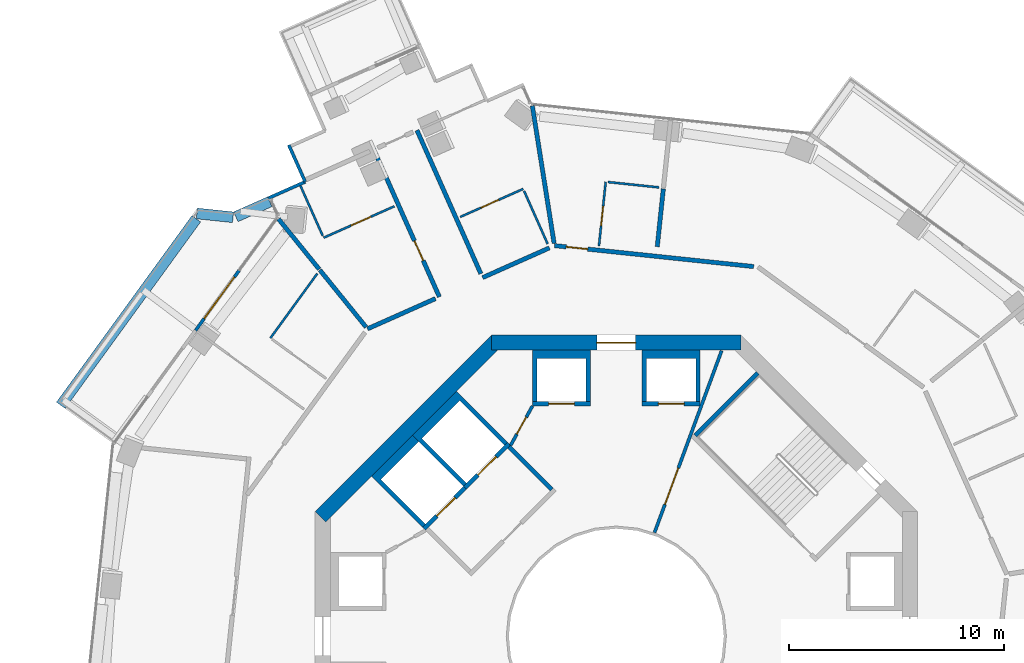
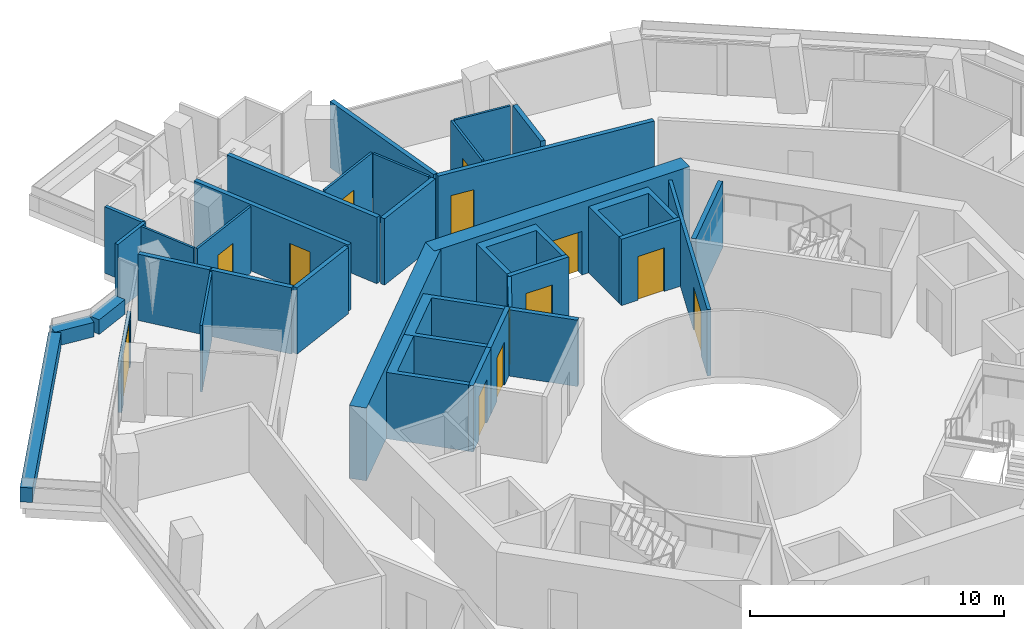
# One storey, part 19 of 23: 36 walls, 13 doors, 13 openings.
"""IFC4 building model written with IfcOpenShell, lengths in metres."""

from ifc_helpers import new_model, si_unit, direction, frame, frame_2d, origin, place, context, subcontext, project, spatial, polyline, rectangle, outline, extrude, material, layer, layer_set, type_object, element, fill, save


model = new_model("IFC4")

# Units and contexts
model_context = context("Model", 3, precision=1e-05, world=origin(), true_north=direction((0.0, 1.0)))
body_context = subcontext(model_context, "Body", "Model", "MODEL_VIEW")
ifc_project = project(units=[si_unit("LENGTHUNIT", "METRE"), si_unit("AREAUNIT", "SQUARE_METRE"), si_unit("VOLUMEUNIT", "CUBIC_METRE"), si_unit("PLANEANGLEUNIT", "RADIAN"), si_unit("MASSUNIT", "GRAM", prefix="KILO")], contexts=[model_context])

# Site, building, storey
site_placement = place(None, origin())
site = spatial("IfcSite", under=ifc_project, at=site_placement, CompositionType="ELEMENT")
building_placement = place(site_placement, origin())
building = spatial("IfcBuilding", under=site, at=building_placement, Name="Verdalira Terraces Hotel", CompositionType="ELEMENT")
storey_placement = place(building_placement, frame((0.0, 0.0, 133.0)))
storey = spatial("IfcBuildingStorey", under=building, at=storey_placement, Name="L31", CompositionType="ELEMENT", Elevation=133.0)

# Walls
ifc_material_1 = material(Name="Concrete C40", Category="concrete")
ifc_layer_1 = layer(ifc_material_1, 0.5)
ifc_layer_set_1 = layer_set([ifc_layer_1], Name="Balcony planter trough with tree")
wall_type_1 = type_object("IfcWallType", Name="Balcony planter trough with tree", PredefinedType="SOLIDWALL", material=ifc_layer_set_1)
wall_1_placement = place(storey_placement, frame((-16.11084, 20.202148, 0.0), z_axis=(0.0, 0.0, 1.0), x_axis=(-0.913532156, -0.406766518, 0.0)))
element("IfcWall", 1, at=wall_1_placement, inside=storey, type_object=wall_type_1, Name="Balcony planter", PredefinedType="SOLIDWALL", context=body_context, shape_type="SweptSolid", body=[
    extrude(rectangle(XDim=1.730957, YDim=0.5, at=frame_2d((0.865479, 0.0))), origin(), (0.0, 0.0, 1.0), 0.699951),
])
wall_2_placement = place(storey_placement, frame((-17.820068, 19.477783, 0.0), z_axis=(0.0, 0.0, 1.0), x_axis=(-0.99453147, 0.104437328, 0.0)))
element("IfcWall", 2, at=wall_2_placement, inside=storey, type_object=wall_type_1, Name="Balcony planter", PredefinedType="SOLIDWALL", context=body_context, shape_type="SweptSolid", body=[
    extrude(rectangle(XDim=1.694824, YDim=0.5, at=frame_2d((0.847412, 0.0))), origin(), (0.0, 0.0, 1.0), 0.699951),
])
wall_3_placement = place(storey_placement, frame((-19.531982, 19.40625, 0.0), z_axis=(0.0, 0.0, 1.0), x_axis=(-0.587777543, -0.809022595, 0.0)))
element("IfcWall", 3, at=wall_3_placement, inside=storey, type_object=wall_type_1, Name="Balcony planter", PredefinedType="SOLIDWALL", context=body_context, shape_type="SweptSolid", body=[
    extrude(rectangle(XDim=10.719238, YDim=0.5, at=frame_2d((5.359619, 0.0))), origin(), (0.0, 0.0, 1.0), 0.699951),
])
ifc_material_2 = material(Name="Moisture-resistant gypsum board partition")
ifc_layer_2 = layer(ifc_material_2, 0.10009765625)
ifc_layer_set_2 = layer_set([ifc_layer_2], Name="Bathroom partition 100 mm")
wall_type_2 = type_object("IfcWallType", Name="Bathroom partition 100 mm", PredefinedType="PARTITIONING", material=ifc_layer_set_2)
wall_4_placement = place(storey_placement, frame((-13.906738, 16.855713, 0.0), z_axis=(0.0, 0.0, 1.0), x_axis=(-0.587803242, -0.809003924, 0.0)))
element("IfcWall", 4, at=wall_4_placement, inside=storey, type_object=wall_type_2, Name="Bathroom partition", PredefinedType="PARTITIONING", context=body_context, shape_type="SweptSolid", body=[
    extrude(rectangle(XDim=3.704102, YDim=0.100098, at=frame_2d((1.852051, 0.0))), origin(), (0.0, 0.0, 1.0), 3.189941),
])
wall_5_placement = place(storey_placement, frame((-13.651611, 18.61499, 0.0), z_axis=(0.0, 0.0, 1.0), x_axis=(-0.40678681, 0.91352312, 0.0)))
element("IfcWall", 5, at=wall_5_placement, inside=storey, type_object=wall_type_2, Name="Bathroom partition", PredefinedType="PARTITIONING", context=body_context, shape_type="SweptSolid", body=[
    extrude(rectangle(XDim=2.550049, YDim=0.100098, at=frame_2d((1.274902, 0.0))), origin(), (0.0, 0.0, 1.0), 3.189941),
])

# Wall, opening, door
wall_6_placement = place(storey_placement, frame((-13.611084, 18.523682, 0.0), z_axis=(0.0, 0.0, 1.0), x_axis=(0.913562482, 0.406698404, 0.0)))
wall_6 = element("IfcWall", 6, at=wall_6_placement, inside=storey, type_object=wall_type_2, Name="Bathroom partition", PredefinedType="PARTITIONING", context=body_context, shape_type="SweptSolid", body=[
    extrude(rectangle(XDim=3.600098, YDim=0.100098, at=frame_2d((1.800049, 0.0))), origin(), (0.0, 0.0, 1.0), 3.189941),
])
opening_1_placement = place(wall_6_placement, frame((1.399902, 0.0, 0.0)))
opening_1 = element("IfcOpeningElement", 7, at=opening_1_placement, cuts=wall_6, Name="Opening L31-105", PredefinedType="OPENING", context=body_context, shape_type="SweptSolid", body=[
    extrude(rectangle(XDim=1.0, YDim=2.100098, at=frame_2d((0.5, 1.050049))), frame((0.0, 0.060059, 0.0), z_axis=(0.0, -1.0, 0.0), x_axis=(1.0, 0.0, 0.0)), (0.0, 0.0, 1.0), 0.120117),
])
ifc_material_3 = material(Name="Timber door", Category="wood")
door_type_1 = type_object("IfcDoorType", Name="Bathroom door 1000 x 2100", OperationType="NOTDEFINED", PredefinedType="DOOR", material=ifc_material_3)
door_1_placement = place(opening_1_placement, origin())
door_1 = element("IfcDoor", 8, at=door_1_placement, inside=storey, type_object=door_type_1, Name="Bathroom door 3102", OperationType="SINGLE_SWING_LEFT", OverallHeight=2.10009765625, OverallWidth=1.0, PredefinedType="DOOR", context=body_context, shape_type="SweptSolid", body=[
    extrude(rectangle(XDim=1.0, YDim=2.100098, at=frame_2d((0.5, 1.050049))), frame((0.0, 0.024902, 0.0), z_axis=(0.0, -1.0, 0.0), x_axis=(1.0, 0.0, 0.0)), (0.0, 0.0, 1.0), 0.050049),
])
fill(opening_1, door_1)

wall_7_placement = place(storey_placement, frame((-4.332275, 20.793945, 0.0), z_axis=(0.0, 0.0, 1.0), x_axis=(-0.913550228, -0.406725928, 0.0)))
wall_7 = element("IfcWall", 9, at=wall_7_placement, inside=storey, type_object=wall_type_2, Name="Bathroom partition", PredefinedType="PARTITIONING", context=body_context, shape_type="SweptSolid", body=[
    extrude(rectangle(XDim=3.199951, YDim=0.100098, at=frame_2d((1.600098, 0.0))), origin(), (0.0, 0.0, 1.0), 3.189941),
])
opening_2_placement = place(wall_7_placement, frame((1.25, 0.0, 0.0)))
opening_2 = element("IfcOpeningElement", 10, at=opening_2_placement, cuts=wall_7, Name="Opening L31-103", PredefinedType="OPENING", context=body_context, shape_type="SweptSolid", body=[
    extrude(rectangle(XDim=0.899902, YDim=2.100098, at=frame_2d((0.449951, 1.050049))), frame((0.0, 0.060059, 0.0), z_axis=(0.0, -1.0, 0.0), x_axis=(1.0, 0.0, 0.0)), (0.0, 0.0, 1.0), 0.120117),
])
ifc_material_4 = material(Name="Timber door", Category="wood")
door_type_2 = type_object("IfcDoorType", Name="Bathroom door 900 x 2100", OperationType="NOTDEFINED", PredefinedType="DOOR", material=ifc_material_4)
door_2_placement = place(opening_2_placement, origin())
door_2 = element("IfcDoor", 11, at=door_2_placement, inside=storey, type_object=door_type_2, Name="Bathroom door 3101", OperationType="SINGLE_SWING_LEFT", OverallHeight=2.10009765625, OverallWidth=0.89990234375, PredefinedType="DOOR", context=body_context, shape_type="SweptSolid", body=[
    extrude(rectangle(XDim=0.899902, YDim=2.100098, at=frame_2d((0.449951, 1.050049))), frame((0.0, 0.024902, 0.0), z_axis=(0.0, -1.0, 0.0), x_axis=(1.0, 0.0, 0.0)), (0.0, 0.0, 1.0), 0.050049),
])
fill(opening_2, door_2)

# Wall
wall_8_placement = place(storey_placement, frame((-3.193359, 18.236084, 0.0), z_axis=(0.0, 0.0, 1.0), x_axis=(-0.40672567, 0.913550343, 0.0)))
element("IfcWall", 12, at=wall_8_placement, inside=storey, type_object=wall_type_2, Name="Bathroom partition", PredefinedType="PARTITIONING", context=body_context, shape_type="SweptSolid", body=[
    extrude(rectangle(XDim=2.699951, YDim=0.100098, at=frame_2d((1.350098, 0.0))), origin(), (0.0, 0.0, 1.0), 3.189941),
])

# Wall, opening, door
wall_9_placement = place(storey_placement, frame((-0.494385, 21.125732, 0.0), z_axis=(0.0, 0.0, 1.0), x_axis=(-0.104570409, -0.994517486, 0.0)))
wall_9 = element("IfcWall", 13, at=wall_9_placement, inside=storey, type_object=wall_type_2, Name="Bathroom partition", PredefinedType="PARTITIONING", context=body_context, shape_type="SweptSolid", body=[
    extrude(rectangle(XDim=3.0, YDim=0.100098, at=frame_2d((1.5, 0.0))), origin(), (0.0, 0.0, 1.0), 3.189941),
])
opening_3_placement = place(wall_9_placement, frame((1.149902, 0.0, 0.0)))
opening_3 = element("IfcOpeningElement", 14, at=opening_3_placement, cuts=wall_9, Name="Opening L31-132", PredefinedType="OPENING", context=body_context, shape_type="SweptSolid", body=[
    extrude(rectangle(XDim=0.899902, YDim=2.100098, at=frame_2d((0.449951, 1.050049))), frame((0.0, 0.060059, 0.0), z_axis=(0.0, -1.0, 0.0), x_axis=(1.0, 0.0, 0.0)), (0.0, 0.0, 1.0), 0.120117),
])
door_3_placement = place(opening_3_placement, origin())
door_3 = element("IfcDoor", 15, at=door_3_placement, inside=storey, type_object=door_type_2, Name="Bathroom door 3112", OperationType="SINGLE_SWING_LEFT", OverallHeight=2.10009765625, OverallWidth=0.89990234375, PredefinedType="DOOR", context=body_context, shape_type="SweptSolid", body=[
    extrude(rectangle(XDim=0.899902, YDim=2.100098, at=frame_2d((0.449951, 1.050049))), frame((0.0, 0.024902, 0.0), z_axis=(0.0, -1.0, 0.0), x_axis=(1.0, 0.0, 0.0)), (0.0, 0.0, 1.0), 0.050049),
])
fill(opening_3, door_3)

# Walls
wall_10_placement = place(storey_placement, frame((-0.39502, 21.115234, 0.0), z_axis=(0.0, 0.0, 1.0), x_axis=(0.994527171, -0.104478253, 0.0)))
element("IfcWall", 16, at=wall_10_placement, inside=storey, type_object=wall_type_2, Name="Bathroom partition", PredefinedType="PARTITIONING", context=body_context, shape_type="SweptSolid", body=[
    extrude(rectangle(XDim=2.399902, YDim=0.100098, at=frame_2d((1.199951, 0.0))), origin(), (0.0, 0.0, 1.0), 3.189941),
])
ifc_material_5 = material(Name="Concrete C50", Category="concrete")
ifc_layer_3 = layer(ifc_material_5, 0.199951171875)
ifc_layer_set_3 = layer_set([ifc_layer_3], Name="Core RC wall 200 C50")
wall_type_3 = type_object("IfcWallType", Name="Core RC wall 200 C50", PredefinedType="SOLIDWALL", material=ifc_layer_set_3)
wall_11_placement = place(storey_placement, origin())
element("IfcWall", 17, at=wall_11_placement, inside=storey, type_object=wall_type_3, Name="L31 shaft wall N1", PredefinedType="SOLIDWALL", context=body_context, shape_type="SweptSolid", body=[
    extrude(outline(polyline([(3.899902, 13.300049), (3.899902, 10.899902), (3.699951, 10.899902), (3.699951, 12.899902), (1.399902, 12.899902), (1.399902, 10.899902), (1.199951, 10.899902), (1.199951, 13.300049), (3.899902, 13.300049)])), origin(), (0.0, 0.0, 1.0), 3.189941),
])

# Wall, opening, door
wall_12_placement = place(storey_placement, frame((1.199951, 10.800049, 0.0), z_axis=(0.0, 0.0, 1.0), x_axis=(1.0, 0.0, 0.0)))
wall_12 = element("IfcWall", 18, at=wall_12_placement, inside=storey, type_object=wall_type_3, Name="L31 shaft front wall N1", PredefinedType="SOLIDWALL", context=body_context, shape_type="SweptSolid", body=[
    extrude(rectangle(XDim=2.699951, YDim=0.199951, at=frame_2d((1.350098, 0.0))), origin(), (0.0, 0.0, 1.0), 3.189941),
])
opening_4_placement = place(wall_12_placement, frame((0.75, 0.0, 0.0)))
opening_4 = element("IfcOpeningElement", 19, at=opening_4_placement, cuts=wall_12, Name="Opening LD-L31-803", PredefinedType="OPENING", context=body_context, shape_type="SweptSolid", body=[
    extrude(rectangle(XDim=1.199951, YDim=2.100098, at=frame_2d((0.600098, 1.050049))), frame((0.0, 0.109863, 0.0), z_axis=(0.0, -1.0, 0.0), x_axis=(1.0, 0.0, 0.0)), (0.0, 0.0, 1.0), 0.219971),
])
ifc_material_6 = material(Name="Stainless steel", Category="steel")
door_type_3 = type_object("IfcDoorType", Name="Landing door 1200 x 2100", OperationType="NOTDEFINED", PredefinedType="DOOR", material=ifc_material_6)
door_4_placement = place(opening_4_placement, origin())
door_4 = element("IfcDoor", 20, at=door_4_placement, inside=storey, type_object=door_type_3, Name="Lift landing door LR3 L31", OperationType="DOUBLE_DOOR_SLIDING", OverallHeight=2.10009765625, OverallWidth=1.199951171875, PredefinedType="DOOR", context=body_context, shape_type="SweptSolid", body=[
    extrude(rectangle(XDim=1.199951, YDim=2.100098, at=frame_2d((0.600098, 1.050049))), frame((0.0, 0.024902, 0.0), z_axis=(0.0, -1.0, 0.0), x_axis=(1.0, 0.0, 0.0)), (0.0, 0.0, 1.0), 0.050049),
])
fill(opening_4, door_4)

# Wall
wall_13_placement = place(storey_placement, origin())
element("IfcWall", 21, at=wall_13_placement, inside=storey, type_object=wall_type_3, Name="L31 shaft wall N2", PredefinedType="SOLIDWALL", context=body_context, shape_type="SweptSolid", body=[
    extrude(outline(polyline([(-3.899902, 10.899902), (-3.899902, 13.300049), (-1.199951, 13.300049), (-1.199951, 10.899902), (-1.399902, 10.899902), (-1.399902, 12.899902), (-3.699951, 12.899902), (-3.699951, 10.899902), (-3.899902, 10.899902)])), origin(), (0.0, 0.0, 1.0), 3.189941),
])

# Wall, opening, door
wall_14_placement = place(storey_placement, frame((-1.199951, 10.800049, 0.0), z_axis=(0.0, 0.0, 1.0), x_axis=(-1.0, 0.0, 0.0)))
wall_14 = element("IfcWall", 22, at=wall_14_placement, inside=storey, type_object=wall_type_3, Name="L31 shaft front wall N2", PredefinedType="SOLIDWALL", context=body_context, shape_type="SweptSolid", body=[
    extrude(rectangle(XDim=2.699951, YDim=0.199951, at=frame_2d((1.350098, 0.0))), origin(), (0.0, 0.0, 1.0), 3.189941),
])
opening_5_placement = place(wall_14_placement, frame((0.75, 0.0, 0.0)))
opening_5 = element("IfcOpeningElement", 23, at=opening_5_placement, cuts=wall_14, Name="Opening LD-L31-804", PredefinedType="OPENING", context=body_context, shape_type="SweptSolid", body=[
    extrude(rectangle(XDim=1.199951, YDim=2.100098, at=frame_2d((0.600098, 1.050049))), frame((0.0, 0.109863, 0.0), z_axis=(0.0, -1.0, 0.0), x_axis=(1.0, 0.0, 0.0)), (0.0, 0.0, 1.0), 0.219971),
])
door_5_placement = place(opening_5_placement, origin())
door_5 = element("IfcDoor", 24, at=door_5_placement, inside=storey, type_object=door_type_3, Name="Lift landing door LR4 L31", OperationType="DOUBLE_DOOR_SLIDING", OverallHeight=2.10009765625, OverallWidth=1.199951171875, PredefinedType="DOOR", context=body_context, shape_type="SweptSolid", body=[
    extrude(rectangle(XDim=1.199951, YDim=2.100098, at=frame_2d((0.600098, 1.050049))), frame((0.0, 0.024902, 0.0), z_axis=(0.0, -1.0, 0.0), x_axis=(1.0, 0.0, 0.0)), (0.0, 0.0, 1.0), 0.050049),
])
fill(opening_5, door_5)

# Wall
wall_15_placement = place(storey_placement, origin())
element("IfcWall", 25, at=wall_15_placement, inside=storey, type_object=wall_type_3, Name="L31 shaft wall F1", PredefinedType="SOLIDWALL", context=body_context, shape_type="SweptSolid", body=[
    extrude(outline(polyline([(-9.475098, 9.33374), (-7.424561, 11.384521), (-5.055908, 9.015625), (-5.197266, 8.874268), (-7.283203, 10.960205), (-9.051025, 9.192383), (-6.965088, 7.106445), (-7.106445, 6.965088), (-9.475098, 9.33374)])), origin(), (0.0, 0.0, 1.0), 3.189941),
])

# Wall, opening, door
wall_16_placement = place(storey_placement, frame((-4.985107, 8.944824, 0.0), z_axis=(0.0, 0.0, 1.0), x_axis=(-0.707106781, -0.707106781, 0.0)))
wall_16 = element("IfcWall", 26, at=wall_16_placement, inside=storey, type_object=wall_type_3, Name="L31 shaft front wall F1", PredefinedType="SOLIDWALL", context=body_context, shape_type="SweptSolid", body=[
    extrude(rectangle(XDim=2.899902, YDim=0.199951, at=frame_2d((1.449951, 0.0))), origin(), (0.0, 0.0, 1.0), 3.189941),
])
opening_6_placement = place(wall_16_placement, frame((0.850098, 0.0, 0.0)))
opening_6 = element("IfcOpeningElement", 27, at=opening_6_placement, cuts=wall_16, Name="Opening LD-L31-807", PredefinedType="OPENING", context=body_context, shape_type="SweptSolid", body=[
    extrude(rectangle(XDim=1.199951, YDim=2.100098, at=frame_2d((0.600098, 1.050049))), frame((0.0, 0.109863, 0.0), z_axis=(0.0, -1.0, 0.0), x_axis=(1.0, 0.0, 0.0)), (0.0, 0.0, 1.0), 0.219971),
])
door_6_placement = place(opening_6_placement, origin())
door_6 = element("IfcDoor", 28, at=door_6_placement, inside=storey, type_object=door_type_3, Name="Lift landing door LF11 L31", OperationType="DOUBLE_DOOR_SLIDING", OverallHeight=2.10009765625, OverallWidth=1.199951171875, PredefinedType="DOOR", context=body_context, shape_type="SweptSolid", body=[
    extrude(rectangle(XDim=1.199951, YDim=2.100098, at=frame_2d((0.600098, 1.050049))), frame((0.0, 0.024902, 0.0), z_axis=(0.0, -1.0, 0.0), x_axis=(1.0, 0.0, 0.0)), (0.0, 0.0, 1.0), 0.050049),
])
fill(opening_6, door_6)

# Wall
wall_17_placement = place(storey_placement, origin())
element("IfcWall", 29, at=wall_17_placement, inside=storey, type_object=wall_type_3, Name="L31 shaft wall F2", PredefinedType="SOLIDWALL", context=body_context, shape_type="SweptSolid", body=[
    extrude(outline(polyline([(-11.384521, 7.424561), (-9.475098, 9.33374), (-9.192383, 9.051025), (-10.960205, 7.283203), (-8.874268, 5.197266), (-9.015625, 5.055908), (-11.384521, 7.424561)])), origin(), (0.0, 0.0, 1.0), 3.189941),
])

# Wall, opening, door
wall_18_placement = place(storey_placement, frame((-7.035645, 6.894287, 0.0), z_axis=(0.0, 0.0, 1.0), x_axis=(-0.707106781, -0.707106781, 0.0)))
wall_18 = element("IfcWall", 30, at=wall_18_placement, inside=storey, type_object=wall_type_3, Name="L31 shaft front wall F2", PredefinedType="SOLIDWALL", context=body_context, shape_type="SweptSolid", body=[
    extrude(rectangle(XDim=2.699951, YDim=0.199951, at=frame_2d((1.350098, 0.0))), origin(), (0.0, 0.0, 1.0), 3.189941),
])
opening_7_placement = place(wall_18_placement, frame((0.649902, 0.0, 0.0)))
opening_7 = element("IfcOpeningElement", 31, at=opening_7_placement, cuts=wall_18, Name="Opening LD-L31-808", PredefinedType="OPENING", context=body_context, shape_type="SweptSolid", body=[
    extrude(rectangle(XDim=1.199951, YDim=2.100098, at=frame_2d((0.600098, 1.050049))), frame((0.0, 0.109863, 0.0), z_axis=(0.0, -1.0, 0.0), x_axis=(1.0, 0.0, 0.0)), (0.0, 0.0, 1.0), 0.219971),
])
door_7_placement = place(opening_7_placement, origin())
door_7 = element("IfcDoor", 32, at=door_7_placement, inside=storey, type_object=door_type_3, Name="Lift landing door LF12 L31", OperationType="DOUBLE_DOOR_SLIDING", OverallHeight=2.10009765625, OverallWidth=1.199951171875, PredefinedType="DOOR", context=body_context, shape_type="SweptSolid", body=[
    extrude(rectangle(XDim=1.199951, YDim=2.100098, at=frame_2d((0.600098, 1.050049))), frame((0.0, 0.024902, 0.0), z_axis=(0.0, -1.0, 0.0), x_axis=(1.0, 0.0, 0.0)), (0.0, 0.0, 1.0), 0.050049),
])
fill(opening_7, door_7)

# Walls
wall_19_placement = place(storey_placement, frame((3.677002, 9.33374, 0.0), z_axis=(0.0, 0.0, 1.0), x_axis=(0.707106781, 0.707106781, 0.0)))
element("IfcWall", 33, at=wall_19_placement, inside=storey, type_object=wall_type_3, Name="L31 stair ST1 end wall 2", PredefinedType="SOLIDWALL", context=body_context, shape_type="SweptSolid", body=[
    extrude(rectangle(XDim=4.100098, YDim=0.199951, at=frame_2d((2.050049, 0.0))), origin(), (0.0, 0.0, 1.0), 3.189941),
])
wall_20_placement = place(storey_placement, frame((-3.005127, 6.823486, 0.0), z_axis=(0.0, 0.0, 1.0), x_axis=(-0.707106781, 0.707106781, 0.0)))
element("IfcWall", 34, at=wall_20_placement, inside=storey, type_object=wall_type_3, Name="L31 fire lobby wall", PredefinedType="SOLIDWALL", context=body_context, shape_type="SweptSolid", body=[
    extrude(rectangle(XDim=2.800049, YDim=0.199951, at=frame_2d((1.399902, 0.0))), origin(), (0.0, 0.0, 1.0), 3.189941),
])

# Wall, opening, door
ifc_material_7 = material(Name="Gypsum board partition")
ifc_layer_4 = layer(ifc_material_7, 0.14990234375)
ifc_layer_set_4 = layer_set([ifc_layer_4], Name="Core partition 150 mm")
wall_type_4 = type_object("IfcWallType", Name="Core partition 150 mm", PredefinedType="PARTITIONING", material=ifc_layer_set_4)
wall_21_placement = place(storey_placement, frame((-3.899902, 10.699951, 0.0), z_axis=(0.0, 0.0, 1.0), x_axis=(-0.485692555, -0.874129705, 0.0)))
wall_21 = element("IfcWall", 35, at=wall_21_placement, inside=storey, type_object=wall_type_4, Name="Room partition L31", PredefinedType="PARTITIONING", context=body_context, shape_type="SweptSolid", body=[
    extrude(rectangle(XDim=2.088623, YDim=0.149902, at=frame_2d((1.044434, 0.0))), origin(), (0.0, 0.0, 1.0), 3.189941),
])
opening_8_placement = place(wall_21_placement, frame((0.594238, 0.0, 0.0)))
opening_8 = element("IfcOpeningElement", 36, at=opening_8_placement, cuts=wall_21, Name="Opening L31-820", PredefinedType="OPENING", context=body_context, shape_type="SweptSolid", body=[
    extrude(rectangle(XDim=0.899902, YDim=2.100098, at=frame_2d((0.449951, 1.050049))), frame((0.0, 0.084961, 0.0), z_axis=(0.0, -1.0, 0.0), x_axis=(1.0, 0.0, 0.0)), (0.0, 0.0, 1.0), 0.169922),
])
ifc_material_8 = material(Name="Steel fire door", Category="steel")
door_type_4 = type_object("IfcDoorType", Name="Core room door 900 x 2100", OperationType="NOTDEFINED", PredefinedType="DOOR", material=ifc_material_8)
door_8_placement = place(opening_8_placement, origin())
door_8 = element("IfcDoor", 37, at=door_8_placement, inside=storey, type_object=door_type_4, Name="Door L31 room2", OperationType="SINGLE_SWING_LEFT", OverallHeight=2.10009765625, OverallWidth=0.89990234375, PredefinedType="DOOR", context=body_context, shape_type="SweptSolid", body=[
    extrude(rectangle(XDim=0.899902, YDim=2.100098, at=frame_2d((0.449951, 1.050049))), frame((0.0, 0.024902, 0.0), z_axis=(0.0, -1.0, 0.0), x_axis=(1.0, 0.0, 0.0)), (0.0, 0.0, 1.0), 0.050049),
])
fill(opening_8, door_8)

wall_22_placement = place(storey_placement, frame((1.775635, 4.812988, 0.0), z_axis=(0.0, 0.0, 1.0), x_axis=(0.346109381, 0.938194168, 0.0)))
wall_22 = element("IfcWall", 38, at=wall_22_placement, inside=storey, type_object=wall_type_4, Name="Gallery fire partition L31", PredefinedType="PARTITIONING", context=body_context, shape_type="SweptSolid", body=[
    extrude(rectangle(XDim=9.016357, YDim=0.149902, at=frame_2d((4.508301, 0.0))), origin(), (0.0, 0.0, 1.0), 3.189941),
])
opening_9_placement = place(wall_22_placement, frame((1.399902, 0.0, 0.0)))
opening_9 = element("IfcOpeningElement", 39, at=opening_9_placement, cuts=wall_22, Name="Opening L31-824", PredefinedType="OPENING", context=body_context, shape_type="SweptSolid", body=[
    extrude(rectangle(XDim=1.800049, YDim=2.100098, at=frame_2d((0.899902, 1.050049))), frame((0.0, 0.084961, 0.0), z_axis=(0.0, -1.0, 0.0), x_axis=(1.0, 0.0, 0.0)), (0.0, 0.0, 1.0), 0.169922),
])
ifc_material_9 = material(Name="Steel fire door", Category="steel")
door_type_5 = type_object("IfcDoorType", Name="Gallery fire door pair 1800 x 2100", OperationType="NOTDEFINED", PredefinedType="DOOR", material=ifc_material_9)
door_9_placement = place(opening_9_placement, origin())
door_9 = element("IfcDoor", 40, at=door_9_placement, inside=storey, type_object=door_type_5, Name="Door L31 split1", OperationType="DOUBLE_DOOR_SINGLE_SWING", OverallHeight=2.10009765625, OverallWidth=1.800048828125, PredefinedType="DOOR", context=body_context, shape_type="SweptSolid", body=[
    extrude(rectangle(XDim=1.800049, YDim=2.100098, at=frame_2d((0.899902, 1.050049))), frame((0.0, 0.024902, 0.0), z_axis=(0.0, -1.0, 0.0), x_axis=(1.0, 0.0, 0.0)), (0.0, 0.0, 1.0), 0.050049),
])
fill(opening_9, door_9)

ifc_material_10 = material(Name="Concrete C60", Category="concrete")
ifc_layer_5 = layer(ifc_material_10, 0.699951171875)
ifc_layer_set_5 = layer_set([ifc_layer_5], Name="Core wall 700 C60")
wall_type_5 = type_object("IfcWallType", Name="Core wall 700 C60", PredefinedType="SHEAR", material=ifc_layer_set_5)
wall_23_placement = place(storey_placement, frame((5.799072, 13.649902, 0.0), z_axis=(0.0, 0.0, 1.0), x_axis=(-1.0, 0.0, 0.0)))
wall_23 = element("IfcWall", 41, at=wall_23_placement, inside=storey, type_object=wall_type_5, Name="Core wall CW-L31-3", PredefinedType="SHEAR", context=body_context, shape_type="SweptSolid", body=[
    extrude(rectangle(XDim=11.598145, YDim=0.699951, at=frame_2d((5.799072, 0.0))), origin(), (0.0, 0.0, 1.0), 3.5),
])
opening_10_placement = place(wall_23_placement, frame((4.898926, 0.0, 0.0)))
opening_10 = element("IfcOpeningElement", 42, at=opening_10_placement, cuts=wall_23, Name="Opening L31-813", PredefinedType="OPENING", context=body_context, shape_type="SweptSolid", body=[
    extrude(rectangle(XDim=1.800049, YDim=2.100098, at=frame_2d((0.899902, 1.050049))), frame((0.0, 0.359863, 0.0), z_axis=(0.0, -1.0, 0.0), x_axis=(1.0, 0.0, 0.0)), (0.0, 0.0, 1.0), 0.719971),
])
ifc_material_11 = material(Name="Steel fire door", Category="steel")
door_type_6 = type_object("IfcDoorType", Name="Core entry door pair 1800 x 2100", OperationType="NOTDEFINED", PredefinedType="DOOR", material=ifc_material_11)
door_10_placement = place(opening_10_placement, origin())
door_10 = element("IfcDoor", 43, at=door_10_placement, inside=storey, type_object=door_type_6, Name="Core entry door L31 2", OperationType="DOUBLE_DOOR_SINGLE_SWING", OverallHeight=2.10009765625, OverallWidth=1.800048828125, PredefinedType="DOOR", context=body_context, shape_type="SweptSolid", body=[
    extrude(rectangle(XDim=1.800049, YDim=2.100098, at=frame_2d((0.899902, 1.050049))), frame((0.0, 0.024902, 0.0), z_axis=(0.0, -1.0, 0.0), x_axis=(1.0, 0.0, 0.0)), (0.0, 0.0, 1.0), 0.050049),
])
fill(opening_10, door_10)

# Walls
wall_24_placement = place(storey_placement, frame((-5.551514, 13.752441, 0.0), z_axis=(0.0, 0.0, 1.0), x_axis=(-0.707106781, -0.707106781, 0.0)))
element("IfcWall", 44, at=wall_24_placement, inside=storey, type_object=wall_type_5, Name="Core wall CW-L31-4", PredefinedType="SHEAR", context=body_context, shape_type="SweptSolid", body=[
    extrude(rectangle(XDim=11.5979, YDim=0.699951, at=frame_2d((5.798828, 0.0))), origin(), (0.0, 0.0, 1.0), 3.5),
])
ifc_material_12 = material(Name="Fire-rated gypsum board wall")
ifc_layer_6 = layer(ifc_material_12, 0.199951171875)
ifc_layer_set_6 = layer_set([ifc_layer_6], Name="Demising wall 200 mm")
wall_type_6 = type_object("IfcWallType", Name="Demising wall 200 mm", PredefinedType="SOLIDWALL", material=ifc_layer_set_6)
wall_25_placement = place(storey_placement, frame((-13.815186, 17.060303, 0.0), z_axis=(0.0, 0.0, 1.0), x_axis=(-0.629340478, 0.777129695, 0.0)))
element("IfcWall", 45, at=wall_25_placement, inside=storey, type_object=wall_type_6, Name="Demising wall", PredefinedType="SOLIDWALL", context=body_context, shape_type="SweptSolid", body=[
    extrude(rectangle(XDim=3.011475, YDim=0.199951, at=frame_2d((1.505859, 0.0))), origin(), (0.0, 0.0, 1.0), 3.189941),
])
wall_26_placement = place(storey_placement, frame((-11.63501, 14.368164, 0.0), z_axis=(0.0, 0.0, 1.0), x_axis=(-0.629352307, 0.777120115, 0.0)))
element("IfcWall", 46, at=wall_26_placement, inside=storey, type_object=wall_type_6, Name="Demising wall", PredefinedType="SOLIDWALL", context=body_context, shape_type="SweptSolid", body=[
    extrude(rectangle(XDim=3.418457, YDim=0.199951, at=frame_2d((1.709229, 0.0))), origin(), (0.0, 0.0, 1.0), 3.189941),
])
wall_27_placement = place(storey_placement, frame((-3.905273, 24.656738, 0.0), z_axis=(0.0, 0.0, 1.0), x_axis=(0.156458166, -0.987684586, 0.0)))
element("IfcWall", 47, at=wall_27_placement, inside=storey, type_object=wall_type_6, Name="Demising wall", PredefinedType="SOLIDWALL", context=body_context, shape_type="SweptSolid", body=[
    extrude(rectangle(XDim=6.47583, YDim=0.199951, at=frame_2d((3.237793, 0.0))), origin(), (0.0, 0.0, 1.0), 3.189941),
])
wall_28_placement = place(storey_placement, frame((1.903076, 18.105957, 0.0), z_axis=(0.0, 0.0, 1.0), x_axis=(0.104525029, 0.994522256, 0.0)))
element("IfcWall", 48, at=wall_28_placement, inside=storey, type_object=wall_type_6, Name="Demising wall", PredefinedType="SOLIDWALL", context=body_context, shape_type="SweptSolid", body=[
    extrude(rectangle(XDim=2.704834, YDim=0.199951, at=frame_2d((1.352539, 0.0))), origin(), (0.0, 0.0, 1.0), 3.189941),
])
ifc_material_13 = material(Name="Fire-rated gypsum board wall")
ifc_layer_7 = layer(ifc_material_13, 0.199951171875)
ifc_layer_set_7 = layer_set([ifc_layer_7], Name="Guest corridor wall 200 mm")
wall_type_7 = type_object("IfcWallType", Name="Guest corridor wall 200 mm", PredefinedType="SOLIDWALL", material=ifc_layer_set_7)
wall_29_placement = place(storey_placement, frame((-8.410645, 15.694336, 0.0), z_axis=(0.0, 0.0, 1.0), x_axis=(-0.913526024, -0.40678029, 0.0)))
element("IfcWall", 49, at=wall_29_placement, inside=storey, type_object=wall_type_7, Name="Guest corridor wall", PredefinedType="SOLIDWALL", context=body_context, shape_type="SweptSolid", body=[
    extrude(rectangle(XDim=3.458252, YDim=0.199951, at=frame_2d((1.729004, 0.0))), origin(), (0.0, 0.0, 1.0), 3.189941),
])

# Wall, opening, door
wall_30_placement = place(storey_placement, frame((-8.227783, 15.775635, 0.0), z_axis=(0.0, 0.0, 1.0), x_axis=(-0.406739419, 0.913544222, 0.0)))
wall_30 = element("IfcWall", 50, at=wall_30_placement, inside=storey, type_object=wall_type_7, Name="Guest corridor wall", PredefinedType="SOLIDWALL", context=body_context, shape_type="SweptSolid", body=[
    extrude(rectangle(XDim=7.5, YDim=0.199951, at=frame_2d((3.75, 0.0))), origin(), (0.0, 0.0, 1.0), 3.189941),
])
opening_11_placement = place(wall_30_placement, frame((1.850098, 0.0, 0.0)))
opening_11 = element("IfcOpeningElement", 51, at=opening_11_placement, cuts=wall_30, Name="Opening L31-104", PredefinedType="OPENING", context=body_context, shape_type="SweptSolid", body=[
    extrude(rectangle(XDim=1.0, YDim=2.100098, at=frame_2d((0.5, 1.050049))), frame((0.0, 0.109863, 0.0), z_axis=(0.0, -1.0, 0.0), x_axis=(1.0, 0.0, 0.0)), (0.0, 0.0, 1.0), 0.219971),
])
ifc_material_14 = material(Name="Timber fire door", Category="wood")
door_type_7 = type_object("IfcDoorType", Name="Guest entry door 1000 x 2100", OperationType="NOTDEFINED", PredefinedType="DOOR", material=ifc_material_14)
door_11_placement = place(opening_11_placement, origin())
door_11 = element("IfcDoor", 52, at=door_11_placement, inside=storey, type_object=door_type_7, Name="Guest entry door 3102", OperationType="SINGLE_SWING_LEFT", OverallHeight=2.10009765625, OverallWidth=1.0, PredefinedType="DOOR", context=body_context, shape_type="SweptSolid", body=[
    extrude(rectangle(XDim=1.0, YDim=2.100098, at=frame_2d((0.5, 1.050049))), frame((0.0, 0.024902, 0.0), z_axis=(0.0, -1.0, 0.0), x_axis=(1.0, 0.0, 0.0)), (0.0, 0.0, 1.0), 0.050049),
])
fill(opening_11, door_11)

# Walls
wall_31_placement = place(storey_placement, frame((-6.299316, 16.853271, 0.0), z_axis=(0.0, 0.0, 1.0), x_axis=(-0.406752789, 0.913538269, 0.0)))
element("IfcWall", 53, at=wall_31_placement, inside=storey, type_object=wall_type_7, Name="Guest corridor wall", PredefinedType="SOLIDWALL", context=body_context, shape_type="SweptSolid", body=[
    extrude(rectangle(XDim=7.299805, YDim=0.199951, at=frame_2d((3.649902, 0.0))), origin(), (0.0, 0.0, 1.0), 3.189941),
])
wall_32_placement = place(storey_placement, frame((-3.112061, 18.053467, 0.0), z_axis=(0.0, 0.0, 1.0), x_axis=(-0.913524094, -0.406784624, 0.0)))
element("IfcWall", 54, at=wall_32_placement, inside=storey, type_object=wall_type_7, Name="Guest corridor wall", PredefinedType="SOLIDWALL", context=body_context, shape_type="SweptSolid", body=[
    extrude(rectangle(XDim=3.399902, YDim=0.199951, at=frame_2d((1.699951, 0.0))), origin(), (0.0, 0.0, 1.0), 3.189941),
])

# Wall, opening, door
wall_33_placement = place(storey_placement, frame((-2.875977, 18.158447, 0.0), z_axis=(0.0, 0.0, 1.0), x_axis=(0.994521094, -0.104536091, 0.0)))
wall_33 = element("IfcWall", 55, at=wall_33_placement, inside=storey, type_object=wall_type_7, Name="Guest corridor wall", PredefinedType="SOLIDWALL", context=body_context, shape_type="SweptSolid", body=[
    extrude(rectangle(XDim=9.316162, YDim=0.199951, at=frame_2d((4.658203, 0.0))), origin(), (0.0, 0.0, 1.0), 3.189941),
])
opening_12_placement = place(wall_33_placement, frame((0.550049, 0.0, 0.0)))
opening_12 = element("IfcOpeningElement", 56, at=opening_12_placement, cuts=wall_33, Name="Opening L31-131", PredefinedType="OPENING", context=body_context, shape_type="SweptSolid", body=[
    extrude(rectangle(XDim=1.0, YDim=2.100098, at=frame_2d((0.5, 1.050049))), frame((0.0, 0.109863, 0.0), z_axis=(0.0, -1.0, 0.0), x_axis=(1.0, 0.0, 0.0)), (0.0, 0.0, 1.0), 0.219971),
])
door_12_placement = place(opening_12_placement, origin())
door_12 = element("IfcDoor", 57, at=door_12_placement, inside=storey, type_object=door_type_7, Name="Guest entry door 3112", OperationType="SINGLE_SWING_LEFT", OverallHeight=2.10009765625, OverallWidth=1.0, PredefinedType="DOOR", context=body_context, shape_type="SweptSolid", body=[
    extrude(rectangle(XDim=1.0, YDim=2.100098, at=frame_2d((0.5, 1.050049))), frame((0.0, 0.024902, 0.0), z_axis=(0.0, -1.0, 0.0), x_axis=(1.0, 0.0, 0.0)), (0.0, 0.0, 1.0), 0.050049),
])
fill(opening_12, door_12)

# Walls
ifc_material_15 = material(Name="Terracotta cladding", Category="masonry")
ifc_layer_8 = layer(ifc_material_15, 0.14990234375)
ifc_layer_set_8 = layer_set([ifc_layer_8], Name="Terracotta clad wall 150")
wall_type_8 = type_object("IfcWallType", Name="Terracotta clad wall 150", PredefinedType="SOLIDWALL", material=ifc_layer_set_8)
for number, where, z_axis, x_axis, name in (
    (58, (-15.230713, 22.837891, 0.0), (0.0, 0.0, 1.0), (0.406766585, -0.913532126, 0.0), "Terracotta cladding wall"),
    (59, (-14.468018, 21.125, 0.0), (0.0, 0.0, 1.0), (-0.913532126, -0.406766585, 0.0), "Terracotta cladding wall"),
):
    element("IfcWall", number, at=place(storey_placement, frame(where, z_axis=z_axis, x_axis=x_axis)), inside=storey, type_object=wall_type_8, Name=name, PredefinedType="SOLIDWALL", context=body_context, shape_type="SweptSolid", body=[
        extrude(rectangle(XDim=1.875, YDim=0.149902, at=frame_2d((0.9375, 0.0))), origin(), (0.0, 0.0, 1.0), 3.189941),
    ])

# Wall, opening, door
ifc_material_16 = material(Name="Terracotta cladding", Category="masonry")
ifc_layer_9 = layer(ifc_material_16, 0.14990234375)
ifc_layer_set_9 = layer_set([ifc_layer_9], Name="Terracotta door pier 150")
wall_type_9 = type_object("IfcWallType", Name="Terracotta door pier 150", PredefinedType="SOLIDWALL", material=ifc_layer_set_9)
wall_34_placement = place(storey_placement, frame((-17.522217, 17.025879, 0.0), z_axis=(0.0, 0.0, 1.0), x_axis=(-0.587778943, -0.809021578, 0.0)))
wall_34 = element("IfcWall", 60, at=wall_34_placement, inside=storey, type_object=wall_type_9, Name="Terracotta door pier", PredefinedType="SOLIDWALL", context=body_context, shape_type="SweptSolid", body=[
    extrude(rectangle(XDim=3.474854, YDim=0.149902, at=frame_2d((1.737305, 0.0))), origin(), (0.0, 0.0, 1.0), 2.475098),
])
opening_13_placement = place(wall_34_placement, frame((0.399902, 0.0, 0.0)))
opening_13 = element("IfcOpeningElement", 61, at=opening_13_placement, cuts=wall_34, Name="Opening L31-B02", PredefinedType="OPENING", context=body_context, shape_type="SweptSolid", body=[
    extrude(rectangle(XDim=2.399902, YDim=2.399902, at=frame_2d((1.199951, 1.199951))), frame((0.0, 0.084961, 0.0), z_axis=(0.0, -1.0, 0.0), x_axis=(1.0, 0.0, 0.0)), (0.0, 0.0, 1.0), 0.169922),
])
ifc_material_17 = material(Name="Clear glass", Category="glass")
door_type_8 = type_object("IfcDoorType", Name="Balcony sliding door 2400x2400", OperationType="NOTDEFINED", PredefinedType="DOOR", material=ifc_material_17)
door_13_placement = place(opening_13_placement, origin())
door_13 = element("IfcDoor", 62, at=door_13_placement, inside=storey, type_object=door_type_8, Name="Balcony sliding door", OperationType="SLIDING_TO_RIGHT", OverallHeight=2.39990234375, OverallWidth=2.39990234375, PredefinedType="DOOR", context=body_context, shape_type="SweptSolid", body=[
    extrude(rectangle(XDim=2.399902, YDim=2.399902, at=frame_2d((1.199951, 1.199951))), frame((0.0, 0.024902, 0.0), z_axis=(0.0, -1.0, 0.0), x_axis=(1.0, 0.0, 0.0)), (0.0, 0.0, 1.0), 0.050049),
])
fill(opening_13, door_13)

save(model, "model.ifc")
